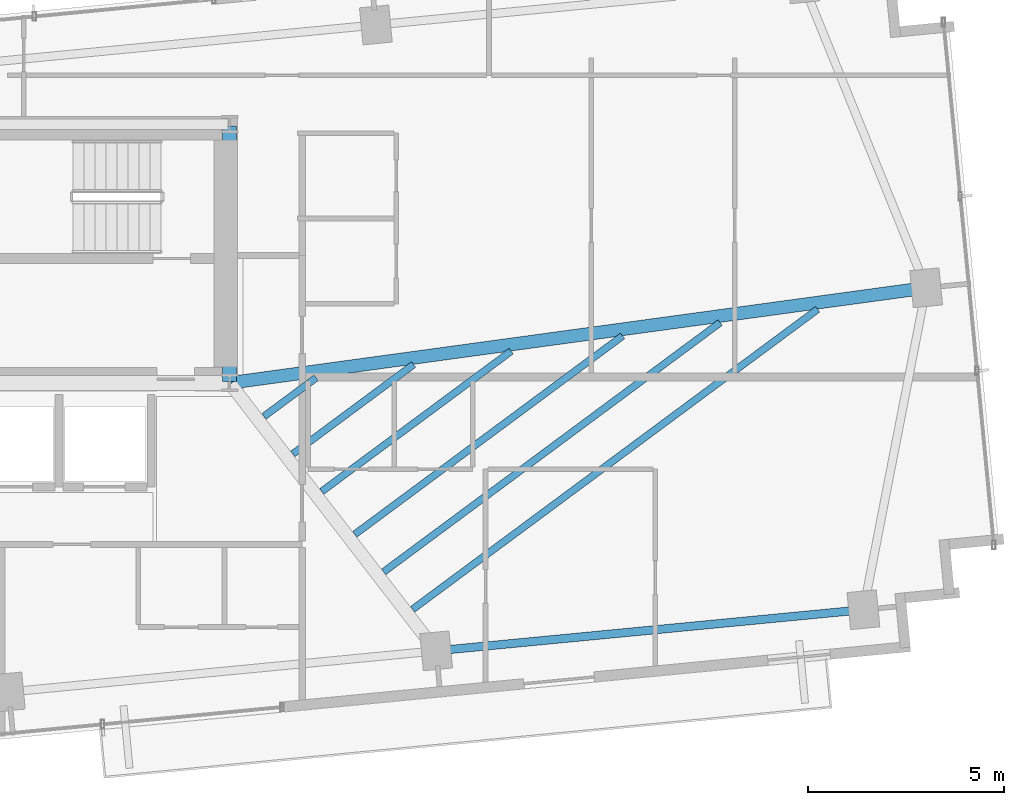
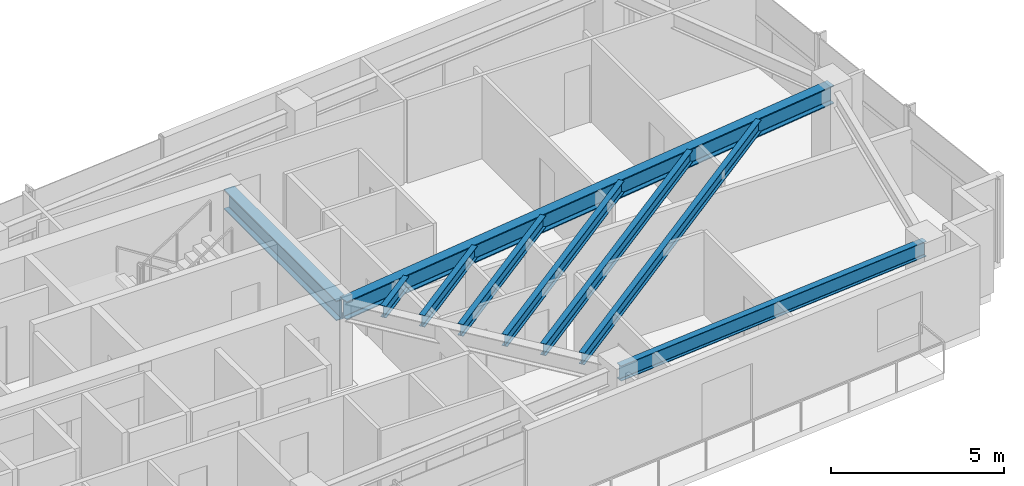
# One storey, part 9 of 18: 9 beams.
"""IFC4 building model written with IfcOpenShell, lengths in metres."""

import ifcopenshell
import ifcopenshell.guid

model = None  # the IFC model being written
_history = None  # IfcOwnerHistory: only IFC2X3 demands one
_inside = {}  # id of a spatial element -> (the spatial element, [elements in it])
_under = {}  # id of a project, library or spatial element -> (it, [spatial elements below it])
_declared = {}  # id of a project -> (the project, [libraries it declares])
_typed = {}  # id of a type object -> (the type object, [elements of that type])
_made_of = {}  # id of a material, layer set ... -> (it, [elements and type objects made of it])


def new_model(schema):
    """Start an empty IFC model of exactly this schema.

    Asked for "IFC4X3", IfcOpenShell would pick the latest addendum, in which some entities
    have other attributes; the version numbers below select the first issue.
    IFC2X3 requires an IfcOwnerHistory on every rooted entity: one is made here for all.
    """
    global model, _history
    if schema == "IFC4X3":
        model = ifcopenshell.file(schema_version=(4, 3, 0, 0))
    else:
        model = ifcopenshell.file(schema=schema)
    _inside.clear()
    _under.clear()
    _declared.clear()
    _typed.clear()
    _made_of.clear()
    _history = None
    if model.schema == "IFC2X3":
        org = make("IfcOrganization", Name="unknown")
        user = make(
            "IfcPersonAndOrganization",
            ThePerson=make("IfcPerson", FamilyName="unknown"),
            TheOrganization=org,
        )
        app = make(
            "IfcApplication",
            ApplicationDeveloper=org,
            Version="unknown",
            ApplicationFullName="unknown",
            ApplicationIdentifier="unknown",
        )
        _history = make(
            "IfcOwnerHistory",
            OwningUser=user,
            OwningApplication=app,
            ChangeAction="ADDED",
            CreationDate=0,
        )
    return model


def make(cls, **values):
    """One entity of the class cls with the attributes given. An attribute that is None is left unset."""
    return model.create_entity(
        cls, **{name: value for name, value in values.items() if value is not None}
    )


def rooted(cls, **values):
    """An entity with a GlobalId (a new one), such as an element, a storey or a relation."""
    return make(cls, GlobalId=ifcopenshell.guid.new(), OwnerHistory=_history, **values)


def si_unit(unit_type, name, prefix=None):
    """IfcSIUnit, for example si_unit("LENGTHUNIT", "METRE", prefix="MILLI")."""
    return make("IfcSIUnit", UnitType=unit_type, Prefix=prefix, Name=name)


def assignment(units):
    """IfcUnitAssignment: the units of a project."""
    return None if units is None else make("IfcUnitAssignment", Units=units)


def point(xyz):
    """IfcCartesianPoint."""
    return None if xyz is None else make("IfcCartesianPoint", Coordinates=xyz)


def direction(xyz):
    """IfcDirection."""
    return None if xyz is None else make("IfcDirection", DirectionRatios=xyz)


def frame(location, z_axis=None, x_axis=None):
    """IfcAxis2Placement3D, a coordinate frame: its origin and axes. An axis left out is left unset."""
    return make(
        "IfcAxis2Placement3D",
        Location=point(location),
        Axis=direction(z_axis),
        RefDirection=direction(x_axis),
    )


def frame_2d(location, x_axis=None):
    """IfcAxis2Placement2D, a coordinate frame in the plane: its origin and x axis."""
    return make(
        "IfcAxis2Placement2D", Location=point(location), RefDirection=direction(x_axis)
    )


def origin():
    """The frame at (0, 0, 0) with its axes left unset."""
    return frame((0.0, 0.0, 0.0))


def origin_2d():
    """The frame at (0, 0) in the plane with its x axis left unset."""
    return frame_2d((0.0, 0.0))


def place(relative_to, where):
    """IfcLocalPlacement: puts the frame where relative to a parent placement (None: the world)."""
    return make(
        "IfcLocalPlacement", PlacementRelTo=relative_to, RelativePlacement=where
    )


def context(
    kind, dimensions, precision=None, world=None, true_north=None, identifier=None
):
    """IfcGeometricRepresentationContext, for example the 3D "Model" context."""
    return make(
        "IfcGeometricRepresentationContext",
        ContextIdentifier=identifier,
        ContextType=kind,
        CoordinateSpaceDimension=dimensions,
        Precision=precision,
        WorldCoordinateSystem=world,
        TrueNorth=true_north,
    )


def subcontext(parent, identifier, kind, view, scale=None):
    """IfcGeometricRepresentationSubContext, for example "Body" below "Model"."""
    return make(
        "IfcGeometricRepresentationSubContext",
        ContextIdentifier=identifier,
        ContextType=kind,
        ParentContext=parent,
        TargetScale=scale,
        TargetView=view,
    )


def project(units=None, contexts=None):
    """IfcProject with its units and contexts."""
    return rooted(
        "IfcProject",
        Name="project",
        RepresentationContexts=contexts,
        UnitsInContext=assignment(units),
    )


def spatial(cls, under=None, at=None, **own):
    """A site, building, storey or space (cls), placed at a placement, below another one or the project."""
    s = rooted(cls, ObjectPlacement=at, **own)
    if under is not None:
        _under.setdefault(under.id(), (under, []))[1].append(s)
    return s


def profile(cls, at=None, kind="AREA", **sizes):
    """A parametric profile (cls). Its sizes go by their IFC names, for example OverallWidth=200.0."""
    return make(cls, ProfileType=kind, Position=at, **sizes)


def i_section(**sizes):
    """IfcIShapeProfileDef."""
    return profile("IfcIShapeProfileDef", **sizes)


def extrude(swept, where, along, depth):
    """IfcExtrudedAreaSolid: the profile swept, set in the frame where, extruded along a direction by depth."""
    return make(
        "IfcExtrudedAreaSolid",
        SweptArea=swept,
        Position=where,
        ExtrudedDirection=direction(along),
        Depth=depth,
    )


def shape(context_of_items, identifier, shape_type, items):
    """IfcShapeRepresentation: the items that make up one representation, for example the "Body"."""
    return make(
        "IfcShapeRepresentation",
        ContextOfItems=context_of_items,
        RepresentationIdentifier=identifier,
        RepresentationType=shape_type,
        Items=items,
    )


def source(mapping_origin, context_of_items, identifier, shape_type, items):
    """IfcRepresentationMap: a shape defined once, which mapped items show again and again."""
    return make(
        "IfcRepresentationMap",
        MappingOrigin=mapping_origin,
        MappedRepresentation=shape(context_of_items, identifier, shape_type, items),
    )


def transform(
    local_origin,
    x_axis=None,
    y_axis=None,
    z_axis=None,
    scale=None,
    scale2=None,
    scale3=None,
    uniform=True,
):
    """IfcCartesianTransformationOperator3D, or its non-uniform kind. x_axis, y_axis, z_axis: its Axis1, 2, 3."""
    if uniform:
        return make(
            "IfcCartesianTransformationOperator3D",
            Axis1=direction(x_axis),
            Axis2=direction(y_axis),
            LocalOrigin=point(local_origin),
            Scale=scale,
            Axis3=direction(z_axis),
        )
    return make(
        "IfcCartesianTransformationOperator3DnonUniform",
        Axis1=direction(x_axis),
        Axis2=direction(y_axis),
        LocalOrigin=point(local_origin),
        Scale=scale,
        Axis3=direction(z_axis),
        Scale2=scale2,
        Scale3=scale3,
    )


def mapped(mapping_source, mapping_target):
    """IfcMappedItem: shows the shape of a source again, moved by a transform."""
    return make(
        "IfcMappedItem", MappingSource=mapping_source, MappingTarget=mapping_target
    )


def material(Name=None, Category=None):
    """IfcMaterial."""
    return make("IfcMaterial", Name=Name, Category=Category)


def material_profile(
    of_material, cross_section, Name=None, Category=None, Priority=None
):
    """IfcMaterialProfile: a cross section and its material."""
    return make(
        "IfcMaterialProfile",
        Name=Name,
        Material=of_material,
        Profile=cross_section,
        Priority=Priority,
        Category=Category,
    )


def profile_set(profiles, Name=None, composite=None):
    """IfcMaterialProfileSet."""
    return make(
        "IfcMaterialProfileSet",
        Name=Name,
        MaterialProfiles=profiles,
        CompositeProfile=composite,
    )


def made_of(thing, what):
    """Note that an element or type object is made of a material, layer set ...; save() writes the relation."""
    if what is not None:
        _made_of.setdefault(what.id(), (what, []))[1].append(thing)
    return thing


def type_object(cls, material=None, **own):
    """A type object (cls), such as IfcWallType, which elements share."""
    return made_of(rooted(cls, **own), material)


def type_shapes(of_type, sources):
    """Give a type object the sources (RepresentationMaps) that its elements show as mapped items."""
    of_type.RepresentationMaps = sources


def element(
    cls,
    number,
    at=None,
    inside=None,
    cuts=None,
    type_object=None,
    material=None,
    context=None,
    identifier="Body",
    shape_type=None,
    held_by="IfcProductDefinitionShape",
    body=None,
    shapes=None,
    **own,
):
    """One element of the class cls, such as IfcWall. Its Tag is "e" and its number.

    at: its placement. inside: the storey or other place that contains it. cuts: it is an
    opening in that element (IfcRelVoidsElement). A single representation is given by context,
    identifier, shape_type and body (its items); several are given by shapes. held_by: the class
    of the entity that holds the representations. save() writes the other relations.
    """
    e = rooted(cls, Tag="e%d" % number, ObjectPlacement=at, **own)
    if body is not None:
        shapes = [shape(context, identifier, shape_type, body)]
    if shapes is not None:
        e.Representation = make(held_by, Representations=shapes)
    if inside is not None:
        _inside.setdefault(inside.id(), (inside, []))[1].append(e)
    if cuts is not None:
        rooted(
            "IfcRelVoidsElement", RelatingBuildingElement=cuts, RelatedOpeningElement=e
        )
    if type_object is not None:
        _typed.setdefault(type_object.id(), (type_object, []))[1].append(e)
    return made_of(e, material)


def aggregate(whole, parts):
    """IfcRelAggregates: a whole, such as a stair, and the parts it consists of."""
    return rooted("IfcRelAggregates", RelatingObject=whole, RelatedObjects=parts)


def save(model, path):
    """Write the relations noted so far, then the file.

    IfcRelAggregates (storeys below a building ...), IfcRelContainedInSpatialStructure (elements
    in a storey), IfcRelDefinesByType, IfcRelAssociatesMaterial and IfcRelDeclares: one each for
    every whole, place, type object, material and project.
    """
    for whole, parts in _under.values():
        aggregate(whole, parts)
    for where, things in _inside.values():
        rooted(
            "IfcRelContainedInSpatialStructure",
            RelatedElements=things,
            RelatingStructure=where,
        )
    for kind, things in _typed.values():
        rooted("IfcRelDefinesByType", RelatedObjects=things, RelatingType=kind)
    for what, things in _made_of.values():
        rooted("IfcRelAssociatesMaterial", RelatedObjects=things, RelatingMaterial=what)
    for by, libraries in _declared.values():
        rooted("IfcRelDeclares", RelatingContext=by, RelatedDefinitions=libraries)
    model.write(path)


model = new_model("IFC4")

# Units and contexts
model_context = context("Model", 3, precision=1e-05, world=origin(), true_north=direction((0.0, 1.0)))
body_context = subcontext(model_context, "Body", "Model", "MODEL_VIEW")
ifc_project = project(units=[si_unit("LENGTHUNIT", "METRE"), si_unit("AREAUNIT", "SQUARE_METRE"), si_unit("VOLUMEUNIT", "CUBIC_METRE"), si_unit("PLANEANGLEUNIT", "RADIAN"), si_unit("MASSUNIT", "GRAM", prefix="KILO")], contexts=[model_context])

# Site, building, storey
site_placement = place(None, origin())
site = spatial("IfcSite", under=ifc_project, at=site_placement, CompositionType="ELEMENT")
building_placement = place(site_placement, origin())
building = spatial("IfcBuilding", under=site, at=building_placement, Name="Astriad Promenade Condominiums", CompositionType="ELEMENT")
storey_placement = place(building_placement, frame((0.0, 0.0, 185.800048828125)))
storey = spatial("IfcBuildingStorey", under=building, at=storey_placement, Name="L53", CompositionType="ELEMENT", Elevation=185.800048828125)

# Beams
ifc_material = material(Name="Steel ASTM A992 Grade 50", Category="steel")
ifc_material_profile_1 = material_profile(ifc_material, i_section(OverallWidth=0.35791015625, OverallDepth=0.706298828125, WebThickness=0.018310546875, FlangeThickness=0.0302734375, FilletRadius=0.020263671875, at=origin_2d()), Name="W27X178")
ifc_profile_set_1 = profile_set([ifc_material_profile_1], Name="Steel ASTM A992 Grade 50")
beam_type_1 = type_object("IfcBeamType", Name="STEEL FLOOR GIRDER W27X178", PredefinedType="BEAM", material=ifc_profile_set_1)
shared_shape_1 = source(origin(), body_context, "Body", "SweptSolid", [
    extrude(i_section(OverallWidth=0.35791015625, OverallDepth=0.706298828125, WebThickness=0.018310546875, FlangeThickness=0.0302734375, FilletRadius=0.020263671875, at=origin_2d()), origin(), (0.0, 0.0, 1.0), 6.52001953125),
])
type_shapes(beam_type_1, [shared_shape_1])
beam_1_placement = place(storey_placement, frame((45.60009765625, 17.43994140625, 2.586669921875), z_axis=(0.0, 1.0, 0.0), x_axis=(-1.0, 0.0, 0.0)))
element("IfcBeam", 1, at=beam_1_placement, inside=storey, type_object=beam_type_1, Name="Core Ring Beam CG-E1-L53", PredefinedType="BEAM", context=body_context, shape_type="MappedRepresentation", body=[
    mapped(shared_shape_1, transform((0.0, 0.0, 0.0), scale=1.0)),
])
ifc_material_profile_2 = material_profile(ifc_material, i_section(OverallWidth=0.210693359375, OverallDepth=0.53955078125, WebThickness=0.01171875, FlangeThickness=0.018798828125, FilletRadius=0.0166015625, at=origin_2d()), Name="W21X73")
ifc_profile_set_2 = profile_set([ifc_material_profile_2], Name="Steel ASTM A992 Grade 50")
beam_type_2 = type_object("IfcBeamType", Name="STEEL SPANDREL BEAM W21X73", PredefinedType="SPANDREL", material=ifc_profile_set_2)
shared_shape_2 = source(origin(), body_context, "Body", "SweptSolid", [
    extrude(i_section(OverallWidth=0.210693359375, OverallDepth=0.53955078125, WebThickness=0.01171875, FlangeThickness=0.018798828125, FilletRadius=0.0166015625, at=origin_2d()), origin(), (0.0, 0.0, 1.0), 10.869873046875),
])
type_shapes(beam_type_2, [shared_shape_2])
beam_2_placement = place(storey_placement, frame((50.908203125, 10.5703125, 2.670166015625), z_axis=(0.995396922692, 0.095838229819, 0.0), x_axis=(-0.095838229819, 0.995396922692, 0.0)))
element("IfcBeam", 2, at=beam_2_placement, inside=storey, type_object=beam_type_2, Name="Perimeter Spandrel Beam SP-S4-L53", PredefinedType="SPANDREL", context=body_context, shape_type="MappedRepresentation", body=[
    mapped(shared_shape_2, transform((0.0, 0.0, 0.0), scale=1.0)),
])
ifc_material_profile_3 = material_profile(ifc_material, i_section(OverallWidth=0.327392578125, OverallDepth=0.640625, WebThickness=0.01904296875, FlangeThickness=0.033935546875, FilletRadius=0.017822265625, at=origin_2d()), Name="W24X176")
ifc_profile_set_3 = profile_set([ifc_material_profile_3], Name="Steel ASTM A992 Grade 50")
beam_type_3 = type_object("IfcBeamType", Name="STEEL FLOOR GIRDER W24X176", PredefinedType="BEAM", material=ifc_profile_set_3)
shared_shape_3 = source(origin(), body_context, "Body", "SweptSolid", [
    extrude(i_section(OverallWidth=0.327392578125, OverallDepth=0.640625, WebThickness=0.01904296875, FlangeThickness=0.033935546875, FilletRadius=0.017822265625, at=origin_2d()), origin(), (0.0, 0.0, 1.0), 17.853271484375),
])
type_shapes(beam_type_3, [shared_shape_3])
beam_3_placement = place(storey_placement, frame((63.32861328125, 19.82177734375, 2.61962890625), z_axis=(-0.990799186345, -0.135340209612, 0.0), x_axis=(0.135340209612, -0.990799186345, 0.0)))
element("IfcBeam", 3, at=beam_3_placement, inside=storey, type_object=beam_type_3, Name="Primary Floor Girder PG-EM-L53", PredefinedType="BEAM", context=body_context, shape_type="MappedRepresentation", body=[
    mapped(shared_shape_3, transform((0.0, 0.0, 0.0), scale=1.0)),
])
ifc_material_profile_4 = material_profile(ifc_material, i_section(OverallWidth=0.180908203125, OverallDepth=0.417236328125, WebThickness=0.010986328125, FlangeThickness=0.018310546875, FilletRadius=0.013916015625, at=origin_2d()), Name="W16X57")
ifc_profile_set_4 = profile_set([ifc_material_profile_4], Name="Steel ASTM A992 Grade 50")
beam_type_4 = type_object("IfcBeamType", Name="STEEL FLOOR JOIST W16X57", PredefinedType="JOIST", material=ifc_profile_set_4)
shared_shape_4 = source(origin(), body_context, "Body", "SweptSolid", [
    extrude(i_section(OverallWidth=0.180908203125, OverallDepth=0.417236328125, WebThickness=0.010986328125, FlangeThickness=0.018310546875, FilletRadius=0.013916015625, at=origin_2d()), origin(), (0.0, 0.0, 1.0), 12.85498046875),
])
beam_4_placement = place(storey_placement, frame((50.27001953125, 11.626220703125, 2.7314453125), z_axis=(0.803505042716, 0.595297947526, 0.0), x_axis=(-0.595297947526, 0.803505042716, 0.0)))
element("IfcBeam", 4, at=beam_4_placement, inside=storey, type_object=beam_type_4, Name="Secondary Composite Floor Joist JE1-1-L53", PredefinedType="JOIST", context=body_context, shape_type="MappedRepresentation", body=[
    mapped(shared_shape_4, transform((0.0, 0.0, 0.0), scale=1.0)),
])
shared_shape_5 = source(origin(), body_context, "Body", "SweptSolid", [
    extrude(i_section(OverallWidth=0.180908203125, OverallDepth=0.417236328125, WebThickness=0.010986328125, FlangeThickness=0.018310546875, FilletRadius=0.013916015625, at=origin_2d()), origin(), (0.0, 0.0, 1.0), 10.677001953125),
])
beam_5_placement = place(storey_placement, frame((49.532470703125, 12.5830078125, 2.7314453125), z_axis=(0.803509393025, 0.595292075641, 0.0), x_axis=(-0.595292075641, 0.803509393025, 0.0)))
element("IfcBeam", 5, at=beam_5_placement, inside=storey, type_object=beam_type_4, Name="Secondary Composite Floor Joist JE1-2-L53", PredefinedType="JOIST", context=body_context, shape_type="MappedRepresentation", body=[
    mapped(shared_shape_5, transform((0.0, 0.0, 0.0), scale=1.0)),
])
shared_shape_6 = source(origin(), body_context, "Body", "SweptSolid", [
    extrude(i_section(OverallWidth=0.180908203125, OverallDepth=0.417236328125, WebThickness=0.010986328125, FlangeThickness=0.018310546875, FilletRadius=0.013916015625, at=origin_2d()), origin(), (0.0, 0.0, 1.0), 8.4990234375),
])
beam_6_placement = place(storey_placement, frame((48.794921875, 13.539794921875, 2.7314453125), z_axis=(0.803515972929, 0.595283194159, 0.0), x_axis=(-0.595283194159, 0.803515972929, 0.0)))
element("IfcBeam", 6, at=beam_6_placement, inside=storey, type_object=beam_type_4, Name="Secondary Composite Floor Joist JE1-3-L53", PredefinedType="JOIST", context=body_context, shape_type="MappedRepresentation", body=[
    mapped(shared_shape_6, transform((0.0, 0.0, 0.0), scale=1.0)),
])
shared_shape_7 = source(origin(), body_context, "Body", "SweptSolid", [
    extrude(i_section(OverallWidth=0.180908203125, OverallDepth=0.417236328125, WebThickness=0.010986328125, FlangeThickness=0.018310546875, FilletRadius=0.013916015625, at=origin_2d()), origin(), (0.0, 0.0, 1.0), 6.01025390625),
])
beam_7_placement = place(storey_placement, frame((47.951904296875, 14.633056640625, 2.7314453125), z_axis=(0.803510418138, 0.595290691968, 0.0), x_axis=(-0.595290691968, 0.803510418138, 0.0)))
element("IfcBeam", 7, at=beam_7_placement, inside=storey, type_object=beam_type_4, Name="Secondary Composite Floor Joist JE1-4-L53", PredefinedType="JOIST", context=body_context, shape_type="MappedRepresentation", body=[
    mapped(shared_shape_7, transform((0.0, 0.0, 0.0), scale=1.0)),
])
shared_shape_8 = source(origin(), body_context, "Body", "SweptSolid", [
    extrude(i_section(OverallWidth=0.180908203125, OverallDepth=0.417236328125, WebThickness=0.010986328125, FlangeThickness=0.018310546875, FilletRadius=0.013916015625, at=origin_2d()), origin(), (0.0, 0.0, 1.0), 3.832275390625),
])
beam_8_placement = place(storey_placement, frame((47.21435546875, 15.58984375, 2.7314453125), z_axis=(0.803525593062, 0.59527020864, 0.0), x_axis=(-0.59527020864, 0.803525593062, 0.0)))
element("IfcBeam", 8, at=beam_8_placement, inside=storey, type_object=beam_type_4, Name="Secondary Composite Floor Joist JE1-5-L53", PredefinedType="JOIST", context=body_context, shape_type="MappedRepresentation", body=[
    mapped(shared_shape_8, transform((0.0, 0.0, 0.0), scale=1.0)),
])
shared_shape_9 = source(origin(), body_context, "Body", "SweptSolid", [
    extrude(i_section(OverallWidth=0.180908203125, OverallDepth=0.417236328125, WebThickness=0.010986328125, FlangeThickness=0.018310546875, FilletRadius=0.013916015625, at=origin_2d()), origin(), (0.0, 0.0, 1.0), 1.654541015625),
])
type_shapes(beam_type_4, [shared_shape_4, shared_shape_5, shared_shape_6, shared_shape_7, shared_shape_8, shared_shape_9])
beam_9_placement = place(storey_placement, frame((46.476806640625, 16.54638671875, 2.7314453125), z_axis=(0.803510136239, 0.595291072468, 0.0), x_axis=(-0.595291072468, 0.803510136239, 0.0)))
element("IfcBeam", 9, at=beam_9_placement, inside=storey, type_object=beam_type_4, Name="Secondary Composite Floor Joist JE1-6-L53", PredefinedType="JOIST", context=body_context, shape_type="MappedRepresentation", body=[
    mapped(shared_shape_9, transform((0.0, 0.0, 0.0), scale=1.0)),
])

save(model, "model.ifc")
